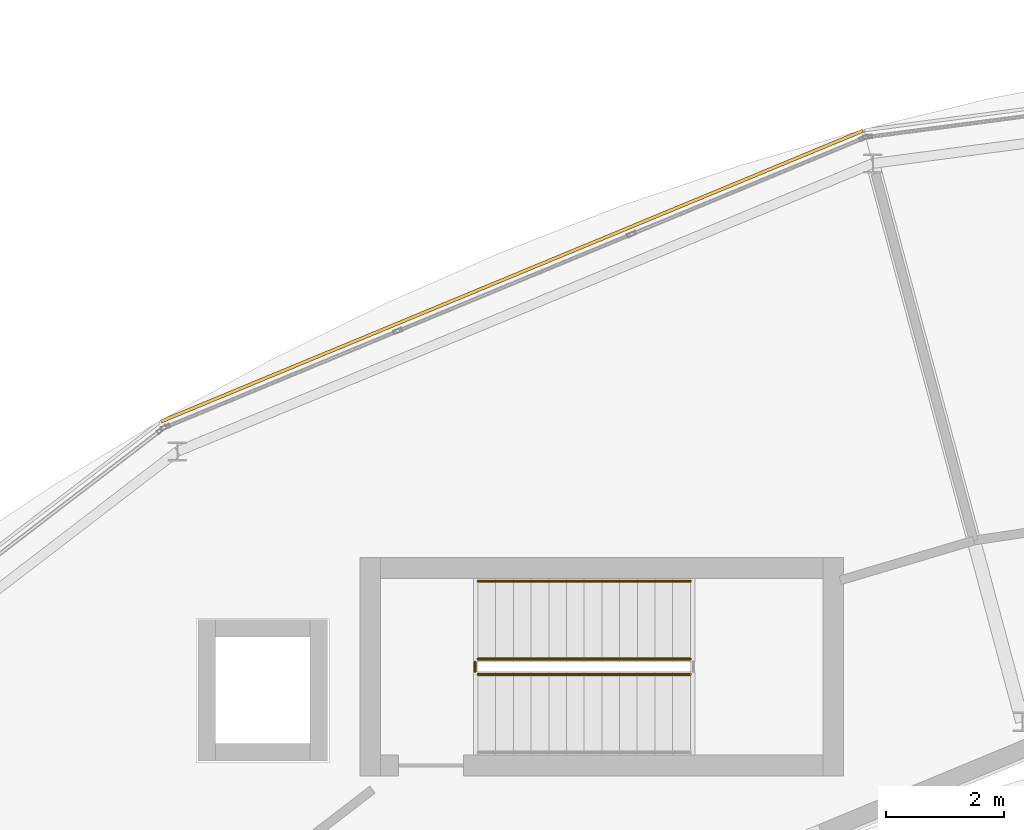
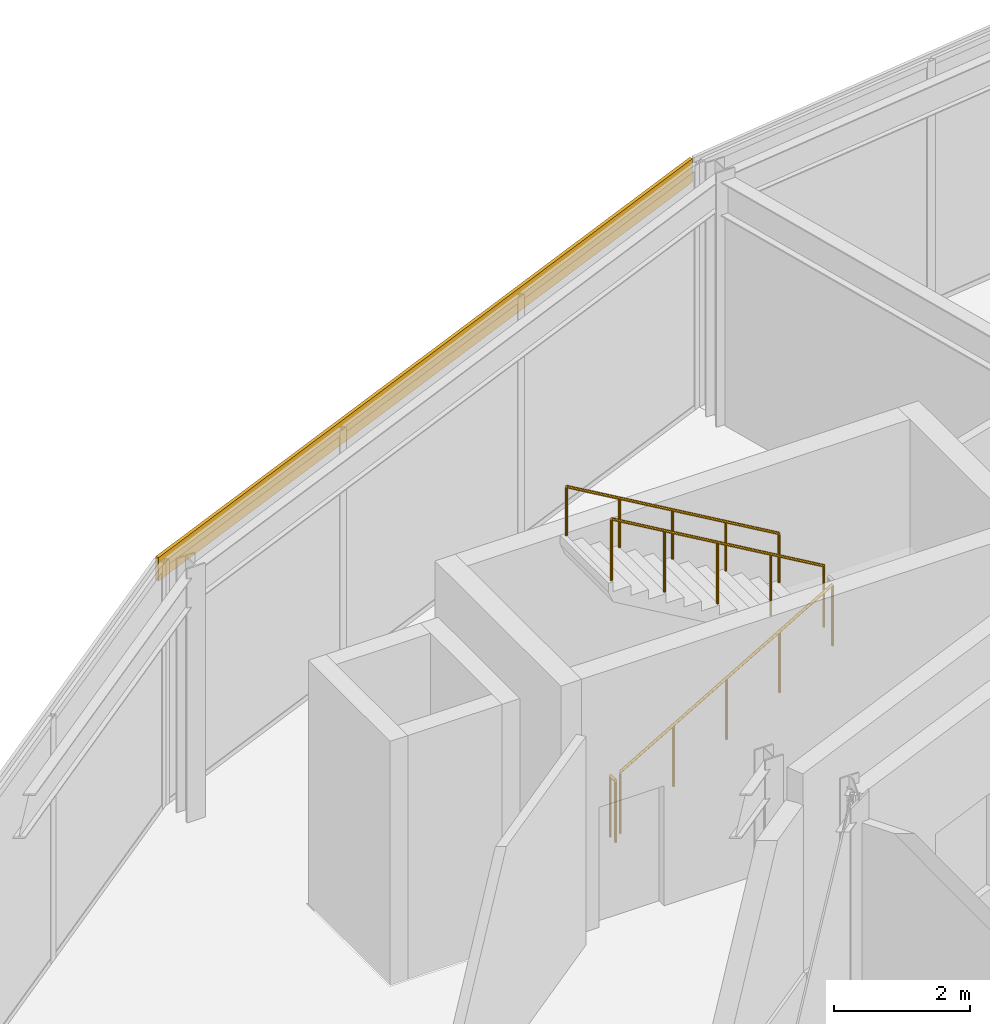
# One storey, part 123 of 133: 4 railings, 1 covering.
"""IFC4 building model written with IfcOpenShell, lengths in metres."""

import ifcopenshell
import ifcopenshell.guid

model = None  # the IFC model being written
_history = None  # IfcOwnerHistory: only IFC2X3 demands one
_inside = {}  # id of a spatial element -> (the spatial element, [elements in it])
_under = {}  # id of a project, library or spatial element -> (it, [spatial elements below it])
_declared = {}  # id of a project -> (the project, [libraries it declares])
_typed = {}  # id of a type object -> (the type object, [elements of that type])
_made_of = {}  # id of a material, layer set ... -> (it, [elements and type objects made of it])


def new_model(schema):
    """Start an empty IFC model of exactly this schema.

    Asked for "IFC4X3", IfcOpenShell would pick the latest addendum, in which some entities
    have other attributes; the version numbers below select the first issue.
    IFC2X3 requires an IfcOwnerHistory on every rooted entity: one is made here for all.
    """
    global model, _history
    if schema == "IFC4X3":
        model = ifcopenshell.file(schema_version=(4, 3, 0, 0))
    else:
        model = ifcopenshell.file(schema=schema)
    _inside.clear()
    _under.clear()
    _declared.clear()
    _typed.clear()
    _made_of.clear()
    _history = None
    if model.schema == "IFC2X3":
        org = make("IfcOrganization", Name="unknown")
        user = make(
            "IfcPersonAndOrganization",
            ThePerson=make("IfcPerson", FamilyName="unknown"),
            TheOrganization=org,
        )
        app = make(
            "IfcApplication",
            ApplicationDeveloper=org,
            Version="unknown",
            ApplicationFullName="unknown",
            ApplicationIdentifier="unknown",
        )
        _history = make(
            "IfcOwnerHistory",
            OwningUser=user,
            OwningApplication=app,
            ChangeAction="ADDED",
            CreationDate=0,
        )
    return model


def make(cls, **values):
    """One entity of the class cls with the attributes given. An attribute that is None is left unset."""
    return model.create_entity(
        cls, **{name: value for name, value in values.items() if value is not None}
    )


def rooted(cls, **values):
    """An entity with a GlobalId (a new one), such as an element, a storey or a relation."""
    return make(cls, GlobalId=ifcopenshell.guid.new(), OwnerHistory=_history, **values)


def si_unit(unit_type, name, prefix=None):
    """IfcSIUnit, for example si_unit("LENGTHUNIT", "METRE", prefix="MILLI")."""
    return make("IfcSIUnit", UnitType=unit_type, Prefix=prefix, Name=name)


def assignment(units):
    """IfcUnitAssignment: the units of a project."""
    return None if units is None else make("IfcUnitAssignment", Units=units)


def point(xyz):
    """IfcCartesianPoint."""
    return None if xyz is None else make("IfcCartesianPoint", Coordinates=xyz)


def direction(xyz):
    """IfcDirection."""
    return None if xyz is None else make("IfcDirection", DirectionRatios=xyz)


def frame(location, z_axis=None, x_axis=None):
    """IfcAxis2Placement3D, a coordinate frame: its origin and axes. An axis left out is left unset."""
    return make(
        "IfcAxis2Placement3D",
        Location=point(location),
        Axis=direction(z_axis),
        RefDirection=direction(x_axis),
    )


def frame_2d(location, x_axis=None):
    """IfcAxis2Placement2D, a coordinate frame in the plane: its origin and x axis."""
    return make(
        "IfcAxis2Placement2D", Location=point(location), RefDirection=direction(x_axis)
    )


def origin():
    """The frame at (0, 0, 0) with its axes left unset."""
    return frame((0.0, 0.0, 0.0))


def origin_2d():
    """The frame at (0, 0) in the plane with its x axis left unset."""
    return frame_2d((0.0, 0.0))


def place(relative_to, where):
    """IfcLocalPlacement: puts the frame where relative to a parent placement (None: the world)."""
    return make(
        "IfcLocalPlacement", PlacementRelTo=relative_to, RelativePlacement=where
    )


def context(
    kind, dimensions, precision=None, world=None, true_north=None, identifier=None
):
    """IfcGeometricRepresentationContext, for example the 3D "Model" context."""
    return make(
        "IfcGeometricRepresentationContext",
        ContextIdentifier=identifier,
        ContextType=kind,
        CoordinateSpaceDimension=dimensions,
        Precision=precision,
        WorldCoordinateSystem=world,
        TrueNorth=true_north,
    )


def subcontext(parent, identifier, kind, view, scale=None):
    """IfcGeometricRepresentationSubContext, for example "Body" below "Model"."""
    return make(
        "IfcGeometricRepresentationSubContext",
        ContextIdentifier=identifier,
        ContextType=kind,
        ParentContext=parent,
        TargetScale=scale,
        TargetView=view,
    )


def project(units=None, contexts=None):
    """IfcProject with its units and contexts."""
    return rooted(
        "IfcProject",
        Name="project",
        RepresentationContexts=contexts,
        UnitsInContext=assignment(units),
    )


def spatial(cls, under=None, at=None, **own):
    """A site, building, storey or space (cls), placed at a placement, below another one or the project."""
    s = rooted(cls, ObjectPlacement=at, **own)
    if under is not None:
        _under.setdefault(under.id(), (under, []))[1].append(s)
    return s


def profile(cls, at=None, kind="AREA", **sizes):
    """A parametric profile (cls). Its sizes go by their IFC names, for example OverallWidth=200.0."""
    return make(cls, ProfileType=kind, Position=at, **sizes)


def rectangle(**sizes):
    """IfcRectangleProfileDef."""
    return profile("IfcRectangleProfileDef", **sizes)


def circle(**sizes):
    """IfcCircleProfileDef."""
    return profile("IfcCircleProfileDef", **sizes)


def extrude(swept, where, along, depth):
    """IfcExtrudedAreaSolid: the profile swept, set in the frame where, extruded along a direction by depth."""
    return make(
        "IfcExtrudedAreaSolid",
        SweptArea=swept,
        Position=where,
        ExtrudedDirection=direction(along),
        Depth=depth,
    )


def shape(context_of_items, identifier, shape_type, items):
    """IfcShapeRepresentation: the items that make up one representation, for example the "Body"."""
    return make(
        "IfcShapeRepresentation",
        ContextOfItems=context_of_items,
        RepresentationIdentifier=identifier,
        RepresentationType=shape_type,
        Items=items,
    )


def material(Name=None, Category=None):
    """IfcMaterial."""
    return make("IfcMaterial", Name=Name, Category=Category)


def layer(
    of_material, thickness, ventilated=None, Name=None, Category=None, Priority=None
):
    """IfcMaterialLayer: one layer of a wall or slab, of a material (None: an air gap)."""
    return make(
        "IfcMaterialLayer",
        Material=of_material,
        LayerThickness=thickness,
        IsVentilated=ventilated,
        Name=Name,
        Category=Category,
        Priority=Priority,
    )


def layer_set(layers, Name=None):
    """IfcMaterialLayerSet."""
    return make("IfcMaterialLayerSet", MaterialLayers=layers, LayerSetName=Name)


def made_of(thing, what):
    """Note that an element or type object is made of a material, layer set ...; save() writes the relation."""
    if what is not None:
        _made_of.setdefault(what.id(), (what, []))[1].append(thing)
    return thing


def type_object(cls, material=None, **own):
    """A type object (cls), such as IfcWallType, which elements share."""
    return made_of(rooted(cls, **own), material)


def element(
    cls,
    number,
    at=None,
    inside=None,
    cuts=None,
    type_object=None,
    material=None,
    context=None,
    identifier="Body",
    shape_type=None,
    held_by="IfcProductDefinitionShape",
    body=None,
    shapes=None,
    **own,
):
    """One element of the class cls, such as IfcWall. Its Tag is "e" and its number.

    at: its placement. inside: the storey or other place that contains it. cuts: it is an
    opening in that element (IfcRelVoidsElement). A single representation is given by context,
    identifier, shape_type and body (its items); several are given by shapes. held_by: the class
    of the entity that holds the representations. save() writes the other relations.
    """
    e = rooted(cls, Tag="e%d" % number, ObjectPlacement=at, **own)
    if body is not None:
        shapes = [shape(context, identifier, shape_type, body)]
    if shapes is not None:
        e.Representation = make(held_by, Representations=shapes)
    if inside is not None:
        _inside.setdefault(inside.id(), (inside, []))[1].append(e)
    if cuts is not None:
        rooted(
            "IfcRelVoidsElement", RelatingBuildingElement=cuts, RelatedOpeningElement=e
        )
    if type_object is not None:
        _typed.setdefault(type_object.id(), (type_object, []))[1].append(e)
    return made_of(e, material)


def aggregate(whole, parts):
    """IfcRelAggregates: a whole, such as a stair, and the parts it consists of."""
    return rooted("IfcRelAggregates", RelatingObject=whole, RelatedObjects=parts)


def save(model, path):
    """Write the relations noted so far, then the file.

    IfcRelAggregates (storeys below a building ...), IfcRelContainedInSpatialStructure (elements
    in a storey), IfcRelDefinesByType, IfcRelAssociatesMaterial and IfcRelDeclares: one each for
    every whole, place, type object, material and project.
    """
    for whole, parts in _under.values():
        aggregate(whole, parts)
    for where, things in _inside.values():
        rooted(
            "IfcRelContainedInSpatialStructure",
            RelatedElements=things,
            RelatingStructure=where,
        )
    for kind, things in _typed.values():
        rooted("IfcRelDefinesByType", RelatedObjects=things, RelatingType=kind)
    for what, things in _made_of.values():
        rooted("IfcRelAssociatesMaterial", RelatedObjects=things, RelatingMaterial=what)
    for by, libraries in _declared.values():
        rooted("IfcRelDeclares", RelatingContext=by, RelatedDefinitions=libraries)
    model.write(path)


model = new_model("IFC4")

# Units and contexts
model_context = context("Model", 3, precision=1e-05, world=origin(), true_north=direction((0.0, 1.0)))
body_context = subcontext(model_context, "Body", "Model", "MODEL_VIEW")
ifc_project = project(units=[si_unit("LENGTHUNIT", "METRE"), si_unit("AREAUNIT", "SQUARE_METRE"), si_unit("VOLUMEUNIT", "CUBIC_METRE"), si_unit("PLANEANGLEUNIT", "RADIAN"), si_unit("MASSUNIT", "GRAM", prefix="KILO")], contexts=[model_context])

# Site, building, storey
site_placement = place(None, origin())
site = spatial("IfcSite", under=ifc_project, at=site_placement, CompositionType="ELEMENT")
building_placement = place(site_placement, origin())
building = spatial("IfcBuilding", under=site, at=building_placement, Name="Almandine Court Research Institute", CompositionType="ELEMENT")
storey_placement = place(building_placement, frame((0.0, 0.0, 9.800048828125)))
storey = spatial("IfcBuildingStorey", under=building, at=storey_placement, Name="L02", CompositionType="ELEMENT", Elevation=9.800048828125)

# Covering
ifc_material_1 = material(Name="Extruded Cream-Ochre Seismic Terracotta Spandrel", Category="masonry")
ifc_layer = layer(ifc_material_1, 0.054931640625)
ifc_layer_set = layer_set([ifc_layer], Name="Extruded Cream-Ochre Seismic Terracotta Spandrel")
covering_type = type_object("IfcCoveringType", Name="Cov-CLAD-TERR", PredefinedType="CLADDING", material=ifc_layer_set)
covering_placement = place(storey_placement, frame((68.22607421875, 101.323974609375, 3.97998046875), z_axis=(0.0, 0.0, 1.0), x_axis=(0.923879532511, 0.382683432365, 0.0)))
element("IfcCovering", 1, at=covering_placement, inside=storey, type_object=covering_type, Name="L02 Drum Stacked Terracotta Ring Band 07", PredefinedType="CLADDING", context=body_context, shape_type="SweptSolid", body=[
    extrude(rectangle(XDim=12.8779296875, YDim=0.054931640625, at=origin_2d()), origin(), (0.0, 0.0, 1.0), 0.419921875),
])

# Railings
ifc_material_2 = material(Name="Powder-Coated Steel Stair and Atrium Balustrade", Category="steel")
railing_type_1 = type_object("IfcRailingType", Name="Rail-GUARD-INT", PredefinedType="BALUSTRADE", material=ifc_material_2)
railing_1_placement = place(storey_placement, frame((67.64990234375, 94.570068359375, 0.175048828125)))
element("IfcRailing", 2, at=railing_1_placement, inside=storey, type_object=railing_type_1, Name="L02 ST-10 stair guard 1", PredefinedType="BALUSTRADE", context=body_context, shape_type="SweptSolid", body=[
    extrude(circle(Radius=0.02392578125, at=origin_2d()), frame((0.0, 0.0, 1.09619140625), z_axis=(0.863800146258, 0.0, 0.503834603144), x_axis=(0.0, 1.0, 0.0)), (0.0, 0.0, 1.0), 4.167724609375),
    extrude(circle(Radius=0.02099609375, at=origin_2d()), origin(), (0.0, 0.0, 1.0), 1.072021484375),
    extrude(circle(Radius=0.02099609375, at=origin_2d()), frame((0.89990234375, 0.0, 0.52490234375)), (0.0, 0.0, 1.0), 1.072021484375),
    extrude(circle(Radius=0.02099609375, at=origin_2d()), frame((1.800048828125, 0.0, 1.0498046875)), (0.0, 0.0, 1.0), 1.072021484375),
    extrude(circle(Radius=0.02099609375, at=origin_2d()), frame((2.7001953125, 0.0, 1.574951171875)), (0.0, 0.0, 1.0), 1.072021484375),
    extrude(circle(Radius=0.02099609375, at=origin_2d()), frame((3.60009765625, 0.0, 2.099853515625)), (0.0, 0.0, 1.0), 1.072021484375),
])
railing_2_placement = place(storey_placement, frame((71.25, 94.830078125, 2.449951171875)))
element("IfcRailing", 3, at=railing_2_placement, inside=storey, type_object=railing_type_1, Name="L02 ST-10 stair guard 3", PredefinedType="BALUSTRADE", context=body_context, shape_type="SweptSolid", body=[
    extrude(circle(Radius=0.02392578125, at=origin_2d()), frame((0.0, 0.0, 1.09619140625), z_axis=(-0.863774651768, 0.0, 0.503878309678), x_axis=(0.0, -1.0, 0.0)), (0.0, 0.0, 1.0), 4.16796875),
    extrude(circle(Radius=0.02099609375, at=origin_2d()), origin(), (0.0, 0.0, 1.0), 1.072021484375),
    extrude(circle(Radius=0.02099609375, at=origin_2d()), frame((-0.89990234375, 0.0, 0.52490234375)), (0.0, 0.0, 1.0), 1.072021484375),
    extrude(circle(Radius=0.02099609375, at=origin_2d()), frame((-1.800048828125, 0.0, 1.050048828125)), (0.0, 0.0, 1.0), 1.072021484375),
    extrude(circle(Radius=0.02099609375, at=origin_2d()), frame((-2.7001953125, 0.0, 1.5751953125)), (0.0, 0.0, 1.0), 1.072021484375),
    extrude(circle(Radius=0.02099609375, at=origin_2d()), frame((-3.60009765625, 0.0, 2.10009765625)), (0.0, 0.0, 1.0), 1.072021484375),
])
railing_3_placement = place(storey_placement, frame((67.60009765625, 94.6201171875, 0.0)))
element("IfcRailing", 4, at=railing_3_placement, inside=storey, type_object=railing_type_1, Name="L02 ST-10 stair guard 4", PredefinedType="BALUSTRADE", context=body_context, shape_type="SweptSolid", body=[
    extrude(circle(Radius=0.02392578125, at=origin_2d()), frame((0.0, 0.0, 1.09619140625), z_axis=(0.0, 1.0, 0.0), x_axis=(-1.0, 0.0, 0.0)), (0.0, 0.0, 1.0), 0.159912109375),
    extrude(circle(Radius=0.02099609375, at=origin_2d()), origin(), (0.0, 0.0, 1.0), 1.072021484375),
    extrude(circle(Radius=0.02099609375, at=origin_2d()), frame((0.0, 0.159912109375, 0.0)), (0.0, 0.0, 1.0), 1.072021484375),
])
ifc_material_3 = material(Name="Brushed Stainless Steel Wall Handrail", Category="steel")
railing_type_2 = type_object("IfcRailingType", Name="Rail-HAND-INT", PredefinedType="HANDRAIL", material=ifc_material_3)
railing_4_placement = place(storey_placement, frame((71.25, 96.14990234375, 2.449951171875)))
element("IfcRailing", 5, at=railing_4_placement, inside=storey, type_object=railing_type_2, Name="L02 ST-10 stair handrail 2", PredefinedType="HANDRAIL", context=body_context, shape_type="SweptSolid", body=[
    extrude(circle(Radius=0.02392578125, at=origin_2d()), frame((0.0, 0.0, 0.8759765625), z_axis=(-0.863774651768, 0.0, 0.503878309678), x_axis=(0.0, -1.0, 0.0)), (0.0, 0.0, 1.0), 4.16796875),
    extrude(circle(Radius=0.02099609375, at=origin_2d()), origin(), (0.0, 0.0, 1.0), 0.851806640625),
    extrude(circle(Radius=0.02099609375, at=origin_2d()), frame((-0.89990234375, 0.0, 0.52490234375)), (0.0, 0.0, 1.0), 0.851806640625),
    extrude(circle(Radius=0.02099609375, at=origin_2d()), frame((-1.800048828125, 0.0, 1.050048828125)), (0.0, 0.0, 1.0), 0.851806640625),
    extrude(circle(Radius=0.02099609375, at=origin_2d()), frame((-2.7001953125, 0.0, 1.5751953125)), (0.0, 0.0, 1.0), 0.851806640625),
    extrude(circle(Radius=0.02099609375, at=origin_2d()), frame((-3.60009765625, 0.0, 2.10009765625)), (0.0, 0.0, 1.0), 0.851806640625),
])

save(model, "model.ifc")
